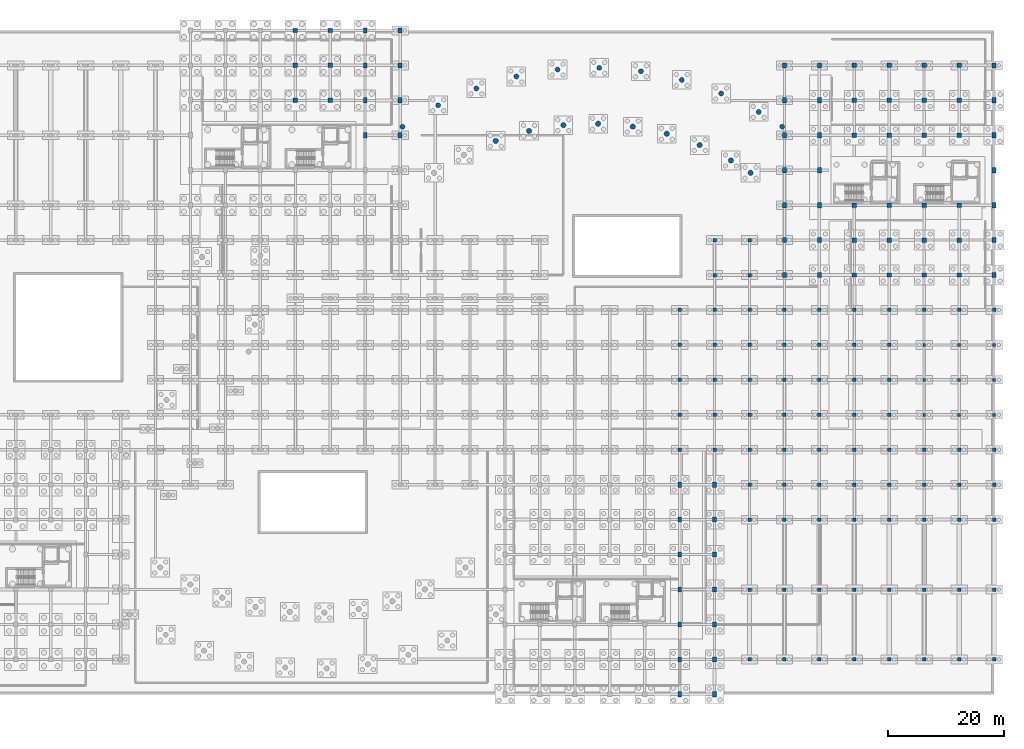
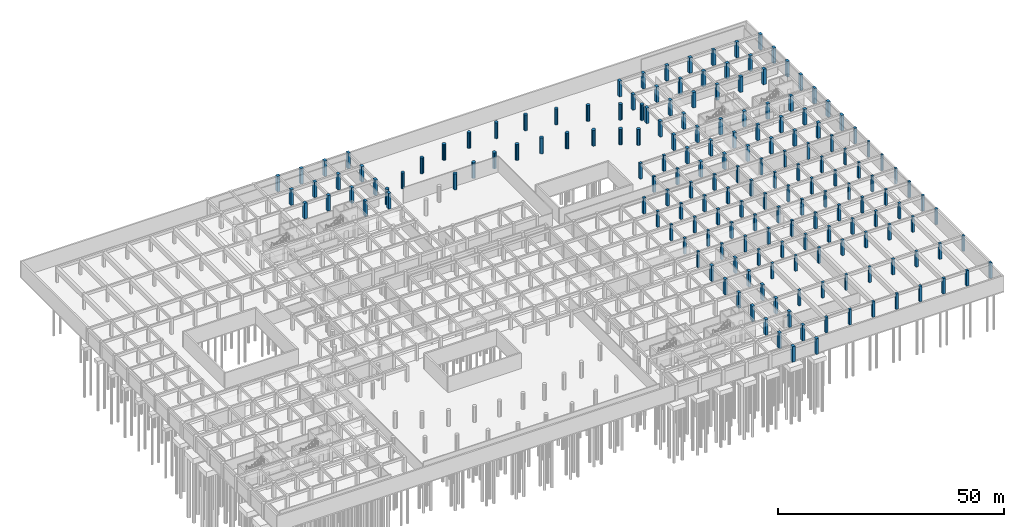
# One storey, part 15 of 41: 179 columns.
"""IFC4 building model written with IfcOpenShell, lengths in metres."""

from ifc_helpers import new_model, si_unit, direction, frame, origin, origin_2d, place, context, subcontext, project, spatial, rectangle, circle, extrude, material, material_profile, profile_set, type_object, element, save


model = new_model("IFC4")

# Units and contexts
model_context = context("Model", 3, precision=1e-05, world=origin(), true_north=direction((0.0, 1.0)))
body_context = subcontext(model_context, "Body", "Model", "MODEL_VIEW")
ifc_project = project(units=[si_unit("LENGTHUNIT", "METRE"), si_unit("AREAUNIT", "SQUARE_METRE"), si_unit("VOLUMEUNIT", "CUBIC_METRE"), si_unit("PLANEANGLEUNIT", "RADIAN"), si_unit("MASSUNIT", "GRAM", prefix="KILO"), si_unit("POWERUNIT", "WATT"), si_unit("THERMODYNAMICTEMPERATUREUNIT", "KELVIN")], contexts=[model_context])

# Site, building, storey
site_placement = place(None, origin())
site = spatial("IfcSite", under=ifc_project, at=site_placement, CompositionType="ELEMENT")
building_placement = place(site_placement, origin())
building = spatial("IfcBuilding", under=site, at=building_placement, Name="Ruvembo Vaulted Housing Court", CompositionType="ELEMENT")
storey_placement = place(building_placement, frame((0.0, 0.0, -4.5)))
storey = spatial("IfcBuildingStorey", under=building, at=storey_placement, Name="B1", CompositionType="ELEMENT", Elevation=-4.5)

# Columns
ifc_material_1 = material(Name="Concrete C35/45", Category="concrete")
ifc_material_profile_1 = material_profile(ifc_material_1, rectangle(XDim=0.5, YDim=0.5, at=origin_2d()), Name="RC 500x500")
ifc_profile_set_1 = profile_set([ifc_material_profile_1], Name="Concrete C35/45")
column_type_1 = type_object("IfcColumnType", Name="COL-RC-500", PredefinedType="COLUMN", material=ifc_profile_set_1)
for number, where, z_axis, x_axis, name in (
    (1, (174.0, 48.0, 0.0), (0.0, 0.0, 1.0), (1.0, 0.0, 0.0), "B1 Column (174,48)"),
    (2, (174.0, 54.0, 0.0), (0.0, 0.0, 1.0), (1.0, 0.0, 0.0), "B1 Column (174,54)"),
    (3, (174.0, 60.0, 0.0), (0.0, 0.0, 1.0), (1.0, 0.0, 0.0), "B1 Column (174,60)"),
    (4, (180.0, 48.0, 0.0), (0.0, 0.0, 1.0), (1.0, 0.0, 0.0), "B1 Column (180,48)"),
    (5, (180.0, 54.0, 0.0), (0.0, 0.0, 1.0), (1.0, 0.0, 0.0), "B1 Column (180,54)"),
    (6, (180.0, 60.0, 0.0), (0.0, 0.0, 1.0), (1.0, 0.0, 0.0), "B1 Column (180,60)"),
    (7, (186.0, 48.0, 0.0), (0.0, 0.0, 1.0), (1.0, 0.0, 0.0), "B1 Column (186,48)"),
    (8, (186.0, 54.0, 0.0), (0.0, 0.0, 1.0), (1.0, 0.0, 0.0), "B1 Column (186,54)"),
    (9, (186.0, 60.0, 0.0), (0.0, 0.0, 1.0), (1.0, 0.0, 0.0), "B1 Column (186,60)"),
):
    element("IfcColumn", number, at=place(storey_placement, frame(where, z_axis=z_axis, x_axis=x_axis)), inside=storey, type_object=column_type_1, Name=name, PredefinedType="COLUMN", context=body_context, shape_type="SweptSolid", body=[
        extrude(rectangle(XDim=0.5, YDim=0.5, at=origin_2d()), origin(), (0.0, 0.0, 1.0), 4.302001953125),
    ])
ifc_material_2 = material(Name="Concrete C40/50", Category="concrete")
ifc_material_profile_2 = material_profile(ifc_material_2, rectangle(XDim=0.60009765625, YDim=0.60009765625, at=origin_2d()), Name="RC 600x600")
ifc_profile_set_2 = profile_set([ifc_material_profile_2], Name="Concrete C40/50")
column_type_2 = type_object("IfcColumnType", Name="COL-RC-600", PredefinedType="COLUMN", material=ifc_profile_set_2)
for number, where, z_axis, x_axis, name in (
    (10, (132.0, 42.0, 0.0), (0.0, 0.0, 1.0), (1.0, 0.0, 0.0), "B1 Column (132,42)"),
    (11, (132.0, 48.0, 0.0), (0.0, 0.0, 1.0), (1.0, 0.0, 0.0), "B1 Column (132,48)"),
    (12, (132.0, 54.0, 0.0), (0.0, 0.0, 1.0), (1.0, 0.0, 0.0), "B1 Column (132,54)"),
    (13, (132.0, 60.0, 0.0), (0.0, 0.0, 1.0), (1.0, 0.0, 0.0), "B1 Column (132,60)"),
    (14, (132.0, 66.0, 0.0), (0.0, 0.0, 1.0), (1.0, 0.0, 0.0), "B1 Column (132,66)"),
    (15, (138.0, 42.0, 0.0), (0.0, 0.0, 1.0), (1.0, 0.0, 0.0), "B1 Column (138,42)"),
    (16, (138.0, 48.0, 0.0), (0.0, 0.0, 1.0), (1.0, 0.0, 0.0), "B1 Column (138,48)"),
    (17, (138.0, 54.0, 0.0), (0.0, 0.0, 1.0), (1.0, 0.0, 0.0), "B1 Column (138,54)"),
    (18, (138.0, 60.0, 0.0), (0.0, 0.0, 1.0), (1.0, 0.0, 0.0), "B1 Column (138,60)"),
    (19, (138.0, 66.0, 0.0), (0.0, 0.0, 1.0), (1.0, 0.0, 0.0), "B1 Column (138,66)"),
    (20, (138.0, 72.0, 0.0), (0.0, 0.0, 1.0), (1.0, 0.0, 0.0), "B1 Column (138,72)"),
    (21, (138.0, 78.0, 0.0), (0.0, 0.0, 1.0), (1.0, 0.0, 0.0), "B1 Column (138,78)"),
):
    element("IfcColumn", number, at=place(storey_placement, frame(where, z_axis=z_axis, x_axis=x_axis)), inside=storey, type_object=column_type_2, Name=name, PredefinedType="COLUMN", context=body_context, shape_type="SweptSolid", body=[
        extrude(rectangle(XDim=0.60009765625, YDim=0.60009765625, at=origin_2d()), origin(), (0.0, 0.0, 1.0), 4.302001953125),
    ])
for number, where, z_axis, x_axis, name in (
    (22, (144.0, 6.0, 0.0), (0.0, 0.0, 1.0), (1.0, 0.0, 0.0), "B1 Column (144,6)"),
    (23, (144.0, 18.0, 0.0), (0.0, 0.0, 1.0), (1.0, 0.0, 0.0), "B1 Column (144,18)"),
    (24, (144.0, 30.0, 0.0), (0.0, 0.0, 1.0), (1.0, 0.0, 0.0), "B1 Column (144,30)"),
    (25, (144.0, 36.0, 0.0), (0.0, 0.0, 1.0), (1.0, 0.0, 0.0), "B1 Column (144,36)"),
):
    element("IfcColumn", number, at=place(storey_placement, frame(where, z_axis=z_axis, x_axis=x_axis)), inside=storey, type_object=column_type_2, Name=name, PredefinedType="COLUMN", context=body_context, shape_type="SweptSolid", body=[
        extrude(rectangle(XDim=0.60009765625, YDim=0.60009765625, at=origin_2d()), origin(), (0.0, 0.0, 1.0), 4.215087890625),
    ])
for number, where, z_axis, x_axis, name in (
    (26, (144.0, 42.0, 0.0), (0.0, 0.0, 1.0), (1.0, 0.0, 0.0), "B1 Column (144,42)"),
    (27, (144.0, 48.0, 0.0), (0.0, 0.0, 1.0), (1.0, 0.0, 0.0), "B1 Column (144,48)"),
    (28, (144.0, 54.0, 0.0), (0.0, 0.0, 1.0), (1.0, 0.0, 0.0), "B1 Column (144,54)"),
    (29, (144.0, 60.0, 0.0), (0.0, 0.0, 1.0), (1.0, 0.0, 0.0), "B1 Column (144,60)"),
    (30, (144.0, 66.0, 0.0), (0.0, 0.0, 1.0), (1.0, 0.0, 0.0), "B1 Column (144,66)"),
    (31, (144.0, 72.0, 0.0), (0.0, 0.0, 1.0), (1.0, 0.0, 0.0), "B1 Column (144,72)"),
    (32, (144.0, 78.0, 0.0), (0.0, 0.0, 1.0), (1.0, 0.0, 0.0), "B1 Column (144,78)"),
):
    element("IfcColumn", number, at=place(storey_placement, frame(where, z_axis=z_axis, x_axis=x_axis)), inside=storey, type_object=column_type_2, Name=name, PredefinedType="COLUMN", context=body_context, shape_type="SweptSolid", body=[
        extrude(rectangle(XDim=0.60009765625, YDim=0.60009765625, at=origin_2d()), origin(), (0.0, 0.0, 1.0), 4.302001953125),
    ])
for number, where, z_axis, x_axis, name in (
    (33, (150.0, 6.0, 0.0), (0.0, 0.0, 1.0), (1.0, 0.0, 0.0), "B1 Column (150,6)"),
    (34, (150.0, 18.0, 0.0), (0.0, 0.0, 1.0), (1.0, 0.0, 0.0), "B1 Column (150,18)"),
    (35, (150.0, 30.0, 0.0), (0.0, 0.0, 1.0), (1.0, 0.0, 0.0), "B1 Column (150,30)"),
    (36, (150.0, 36.0, 0.0), (0.0, 0.0, 1.0), (1.0, 0.0, 0.0), "B1 Column (150,36)"),
):
    element("IfcColumn", number, at=place(storey_placement, frame(where, z_axis=z_axis, x_axis=x_axis)), inside=storey, type_object=column_type_2, Name=name, PredefinedType="COLUMN", context=body_context, shape_type="SweptSolid", body=[
        extrude(rectangle(XDim=0.60009765625, YDim=0.60009765625, at=origin_2d()), origin(), (0.0, 0.0, 1.0), 4.215087890625),
    ])
for number, where, z_axis, x_axis, name in (
    (37, (150.0, 42.0, 0.0), (0.0, 0.0, 1.0), (1.0, 0.0, 0.0), "B1 Column (150,42)"),
    (38, (150.0, 48.0, 0.0), (0.0, 0.0, 1.0), (1.0, 0.0, 0.0), "B1 Column (150,48)"),
    (39, (150.0, 54.0, 0.0), (0.0, 0.0, 1.0), (1.0, 0.0, 0.0), "B1 Column (150,54)"),
    (40, (150.0, 60.0, 0.0), (0.0, 0.0, 1.0), (1.0, 0.0, 0.0), "B1 Column (150,60)"),
    (41, (150.0, 66.0, 0.0), (0.0, 0.0, 1.0), (1.0, 0.0, 0.0), "B1 Column (150,66)"),
):
    element("IfcColumn", number, at=place(storey_placement, frame(where, z_axis=z_axis, x_axis=x_axis)), inside=storey, type_object=column_type_2, Name=name, PredefinedType="COLUMN", context=body_context, shape_type="SweptSolid", body=[
        extrude(rectangle(XDim=0.60009765625, YDim=0.60009765625, at=origin_2d()), origin(), (0.0, 0.0, 1.0), 4.302001953125),
    ])
for number, where, z_axis, x_axis, name in (
    (42, (156.0, 6.0, 0.0), (0.0, 0.0, 1.0), (1.0, 0.0, 0.0), "B1 Column (156,6)"),
    (43, (156.0, 18.0, 0.0), (0.0, 0.0, 1.0), (1.0, 0.0, 0.0), "B1 Column (156,18)"),
    (44, (156.0, 30.0, 0.0), (0.0, 0.0, 1.0), (1.0, 0.0, 0.0), "B1 Column (156,30)"),
    (45, (156.0, 36.0, 0.0), (0.0, 0.0, 1.0), (1.0, 0.0, 0.0), "B1 Column (156,36)"),
):
    element("IfcColumn", number, at=place(storey_placement, frame(where, z_axis=z_axis, x_axis=x_axis)), inside=storey, type_object=column_type_2, Name=name, PredefinedType="COLUMN", context=body_context, shape_type="SweptSolid", body=[
        extrude(rectangle(XDim=0.60009765625, YDim=0.60009765625, at=origin_2d()), origin(), (0.0, 0.0, 1.0), 4.215087890625),
    ])
for number, where, z_axis, x_axis, name in (
    (46, (156.0, 42.0, 0.0), (0.0, 0.0, 1.0), (1.0, 0.0, 0.0), "B1 Column (156,42)"),
    (47, (156.0, 48.0, 0.0), (0.0, 0.0, 1.0), (1.0, 0.0, 0.0), "B1 Column (156,48)"),
    (48, (156.0, 54.0, 0.0), (0.0, 0.0, 1.0), (1.0, 0.0, 0.0), "B1 Column (156,54)"),
    (49, (156.0, 60.0, 0.0), (0.0, 0.0, 1.0), (1.0, 0.0, 0.0), "B1 Column (156,60)"),
    (50, (156.0, 66.0, 0.0), (0.0, 0.0, 1.0), (1.0, 0.0, 0.0), "B1 Column (156,66)"),
):
    element("IfcColumn", number, at=place(storey_placement, frame(where, z_axis=z_axis, x_axis=x_axis)), inside=storey, type_object=column_type_2, Name=name, PredefinedType="COLUMN", context=body_context, shape_type="SweptSolid", body=[
        extrude(rectangle(XDim=0.60009765625, YDim=0.60009765625, at=origin_2d()), origin(), (0.0, 0.0, 1.0), 4.302001953125),
    ])
for number, where, z_axis, x_axis, name in (
    (51, (162.0, 6.0, 0.0), (0.0, 0.0, 1.0), (1.0, 0.0, 0.0), "B1 Column (162,6)"),
    (52, (162.0, 18.0, 0.0), (0.0, 0.0, 1.0), (1.0, 0.0, 0.0), "B1 Column (162,18)"),
    (53, (162.0, 30.0, 0.0), (0.0, 0.0, 1.0), (1.0, 0.0, 0.0), "B1 Column (162,30)"),
    (54, (162.0, 36.0, 0.0), (0.0, 0.0, 1.0), (1.0, 0.0, 0.0), "B1 Column (162,36)"),
):
    element("IfcColumn", number, at=place(storey_placement, frame(where, z_axis=z_axis, x_axis=x_axis)), inside=storey, type_object=column_type_2, Name=name, PredefinedType="COLUMN", context=body_context, shape_type="SweptSolid", body=[
        extrude(rectangle(XDim=0.60009765625, YDim=0.60009765625, at=origin_2d()), origin(), (0.0, 0.0, 1.0), 4.215087890625),
    ])
for number, where, z_axis, x_axis, name in (
    (55, (162.0, 42.0, 0.0), (0.0, 0.0, 1.0), (1.0, 0.0, 0.0), "B1 Column (162,42)"),
    (56, (162.0, 48.0, 0.0), (0.0, 0.0, 1.0), (1.0, 0.0, 0.0), "B1 Column (162,48)"),
    (57, (162.0, 54.0, 0.0), (0.0, 0.0, 1.0), (1.0, 0.0, 0.0), "B1 Column (162,54)"),
    (58, (162.0, 60.0, 0.0), (0.0, 0.0, 1.0), (1.0, 0.0, 0.0), "B1 Column (162,60)"),
    (59, (162.0, 66.0, 0.0), (0.0, 0.0, 1.0), (1.0, 0.0, 0.0), "B1 Column (162,66)"),
):
    element("IfcColumn", number, at=place(storey_placement, frame(where, z_axis=z_axis, x_axis=x_axis)), inside=storey, type_object=column_type_2, Name=name, PredefinedType="COLUMN", context=body_context, shape_type="SweptSolid", body=[
        extrude(rectangle(XDim=0.60009765625, YDim=0.60009765625, at=origin_2d()), origin(), (0.0, 0.0, 1.0), 4.302001953125),
    ])
for number, where, z_axis, x_axis, name in (
    (60, (168.0, 6.0, 0.0), (0.0, 0.0, 1.0), (1.0, 0.0, 0.0), "B1 Column (168,6)"),
    (61, (168.0, 18.0, 0.0), (0.0, 0.0, 1.0), (1.0, 0.0, 0.0), "B1 Column (168,18)"),
    (62, (168.0, 30.0, 0.0), (0.0, 0.0, 1.0), (1.0, 0.0, 0.0), "B1 Column (168,30)"),
    (63, (168.0, 36.0, 0.0), (0.0, 0.0, 1.0), (1.0, 0.0, 0.0), "B1 Column (168,36)"),
):
    element("IfcColumn", number, at=place(storey_placement, frame(where, z_axis=z_axis, x_axis=x_axis)), inside=storey, type_object=column_type_2, Name=name, PredefinedType="COLUMN", context=body_context, shape_type="SweptSolid", body=[
        extrude(rectangle(XDim=0.60009765625, YDim=0.60009765625, at=origin_2d()), origin(), (0.0, 0.0, 1.0), 4.215087890625),
    ])
for number, where, z_axis, x_axis, name in (
    (64, (168.0, 42.0, 0.0), (0.0, 0.0, 1.0), (1.0, 0.0, 0.0), "B1 Column (168,42)"),
    (65, (168.0, 48.0, 0.0), (0.0, 0.0, 1.0), (1.0, 0.0, 0.0), "B1 Column (168,48)"),
    (66, (168.0, 54.0, 0.0), (0.0, 0.0, 1.0), (1.0, 0.0, 0.0), "B1 Column (168,54)"),
    (67, (168.0, 60.0, 0.0), (0.0, 0.0, 1.0), (1.0, 0.0, 0.0), "B1 Column (168,60)"),
    (68, (168.0, 66.0, 0.0), (0.0, 0.0, 1.0), (1.0, 0.0, 0.0), "B1 Column (168,66)"),
):
    element("IfcColumn", number, at=place(storey_placement, frame(where, z_axis=z_axis, x_axis=x_axis)), inside=storey, type_object=column_type_2, Name=name, PredefinedType="COLUMN", context=body_context, shape_type="SweptSolid", body=[
        extrude(rectangle(XDim=0.60009765625, YDim=0.60009765625, at=origin_2d()), origin(), (0.0, 0.0, 1.0), 4.302001953125),
    ])
for number, where, z_axis, x_axis, name in (
    (69, (174.0, 6.0, 0.0), (0.0, 0.0, 1.0), (1.0, 0.0, 0.0), "B1 Column (174,6)"),
    (70, (174.0, 18.0, 0.0), (0.0, 0.0, 1.0), (1.0, 0.0, 0.0), "B1 Column (174,18)"),
    (71, (174.0, 30.0, 0.0), (0.0, 0.0, 1.0), (1.0, 0.0, 0.0), "B1 Column (174,30)"),
    (72, (174.0, 36.0, 0.0), (0.0, 0.0, 1.0), (1.0, 0.0, 0.0), "B1 Column (174,36)"),
):
    element("IfcColumn", number, at=place(storey_placement, frame(where, z_axis=z_axis, x_axis=x_axis)), inside=storey, type_object=column_type_2, Name=name, PredefinedType="COLUMN", context=body_context, shape_type="SweptSolid", body=[
        extrude(rectangle(XDim=0.60009765625, YDim=0.60009765625, at=origin_2d()), origin(), (0.0, 0.0, 1.0), 4.215087890625),
    ])
for number, where, z_axis, x_axis, name in (
    (73, (174.0, 42.0, 0.0), (0.0, 0.0, 1.0), (1.0, 0.0, 0.0), "B1 Column (174,42)"),
    (74, (174.0, 66.0, 0.0), (0.0, 0.0, 1.0), (1.0, 0.0, 0.0), "B1 Column (174,66)"),
):
    element("IfcColumn", number, at=place(storey_placement, frame(where, z_axis=z_axis, x_axis=x_axis)), inside=storey, type_object=column_type_2, Name=name, PredefinedType="COLUMN", context=body_context, shape_type="SweptSolid", body=[
        extrude(rectangle(XDim=0.60009765625, YDim=0.60009765625, at=origin_2d()), origin(), (0.0, 0.0, 1.0), 4.302001953125),
    ])
for number, where, z_axis, x_axis, name in (
    (75, (180.0, 6.0, 0.0), (0.0, 0.0, 1.0), (1.0, 0.0, 0.0), "B1 Column (180,6)"),
    (76, (180.0, 18.0, 0.0), (0.0, 0.0, 1.0), (1.0, 0.0, 0.0), "B1 Column (180,18)"),
    (77, (180.0, 30.0, 0.0), (0.0, 0.0, 1.0), (1.0, 0.0, 0.0), "B1 Column (180,30)"),
    (78, (180.0, 36.0, 0.0), (0.0, 0.0, 1.0), (1.0, 0.0, 0.0), "B1 Column (180,36)"),
):
    element("IfcColumn", number, at=place(storey_placement, frame(where, z_axis=z_axis, x_axis=x_axis)), inside=storey, type_object=column_type_2, Name=name, PredefinedType="COLUMN", context=body_context, shape_type="SweptSolid", body=[
        extrude(rectangle(XDim=0.60009765625, YDim=0.60009765625, at=origin_2d()), origin(), (0.0, 0.0, 1.0), 4.215087890625),
    ])
for number, where, z_axis, x_axis, name in (
    (79, (180.0, 42.0, 0.0), (0.0, 0.0, 1.0), (1.0, 0.0, 0.0), "B1 Column (180,42)"),
    (80, (180.0, 66.0, 0.0), (0.0, 0.0, 1.0), (1.0, 0.0, 0.0), "B1 Column (180,66)"),
):
    element("IfcColumn", number, at=place(storey_placement, frame(where, z_axis=z_axis, x_axis=x_axis)), inside=storey, type_object=column_type_2, Name=name, PredefinedType="COLUMN", context=body_context, shape_type="SweptSolid", body=[
        extrude(rectangle(XDim=0.60009765625, YDim=0.60009765625, at=origin_2d()), origin(), (0.0, 0.0, 1.0), 4.302001953125),
    ])
for number, where, z_axis, x_axis, name in (
    (81, (186.0, 6.0, 0.0), (0.0, 0.0, 1.0), (1.0, 0.0, 0.0), "B1 Column (186,6)"),
    (82, (186.0, 18.0, 0.0), (0.0, 0.0, 1.0), (1.0, 0.0, 0.0), "B1 Column (186,18)"),
    (83, (186.0, 30.0, 0.0), (0.0, 0.0, 1.0), (1.0, 0.0, 0.0), "B1 Column (186,30)"),
    (84, (186.0, 36.0, 0.0), (0.0, 0.0, 1.0), (1.0, 0.0, 0.0), "B1 Column (186,36)"),
):
    element("IfcColumn", number, at=place(storey_placement, frame(where, z_axis=z_axis, x_axis=x_axis)), inside=storey, type_object=column_type_2, Name=name, PredefinedType="COLUMN", context=body_context, shape_type="SweptSolid", body=[
        extrude(rectangle(XDim=0.60009765625, YDim=0.60009765625, at=origin_2d()), origin(), (0.0, 0.0, 1.0), 4.215087890625),
    ])
for number, where, z_axis, x_axis, name in (
    (85, (186.0, 42.0, 0.0), (0.0, 0.0, 1.0), (1.0, 0.0, 0.0), "B1 Column (186,42)"),
    (86, (186.0, 66.0, 0.0), (0.0, 0.0, 1.0), (1.0, 0.0, 0.0), "B1 Column (186,66)"),
):
    element("IfcColumn", number, at=place(storey_placement, frame(where, z_axis=z_axis, x_axis=x_axis)), inside=storey, type_object=column_type_2, Name=name, PredefinedType="COLUMN", context=body_context, shape_type="SweptSolid", body=[
        extrude(rectangle(XDim=0.60009765625, YDim=0.60009765625, at=origin_2d()), origin(), (0.0, 0.0, 1.0), 4.302001953125),
    ])
ifc_material_profile_3 = material_profile(ifc_material_2, rectangle(XDim=0.64990234375, YDim=0.89990234375, at=origin_2d()), Name="RC 650x900")
ifc_profile_set_3 = profile_set([ifc_material_profile_3], Name="Concrete C40/50")
column_type_3 = type_object("IfcColumnType", Name="COL-RC-650x900", PredefinedType="COLUMN", material=ifc_profile_set_3)
for number, where, z_axis, x_axis, name in (
    (87, (78.0, 96.0, 0.0), (0.0, 0.0, 1.0), (1.0, 0.0, 0.0), "B1 Column (78,96)"),
    (88, (78.0, 102.0, 0.0), (0.0, 0.0, 1.0), (1.0, 0.0, 0.0), "B1 Column (78,102)"),
    (89, (78.0, 108.0, 0.0), (0.0, 0.0, 1.0), (1.0, 0.0, 0.0), "B1 Column (78,108)"),
    (90, (78.0, 114.0, 0.0), (0.0, 0.0, 1.0), (1.0, 0.0, 0.0), "B1 Column (78,114)"),
    (91, (84.0, 96.0, 0.0), (0.0, 0.0, 1.0), (1.0, 0.0, 0.0), "B1 Column (84,96)"),
    (92, (84.0, 102.0, 0.0), (0.0, 0.0, 1.0), (1.0, 0.0, 0.0), "B1 Column (84,102)"),
    (93, (84.0, 108.0, 0.0), (0.0, 0.0, 1.0), (1.0, 0.0, 0.0), "B1 Column (84,108)"),
    (94, (84.0, 114.0, 0.0), (0.0, 0.0, 1.0), (1.0, 0.0, 0.0), "B1 Column (84,114)"),
    (95, (132.0, 0.0, 0.0), (0.0, 0.0, 1.0), (1.0, 0.0, 0.0), "B1 Column (132,0)"),
    (96, (132.0, 6.0, 0.0), (0.0, 0.0, 1.0), (1.0, 0.0, 0.0), "B1 Column (132,6)"),
    (97, (132.0, 12.0, 0.0), (0.0, 0.0, 1.0), (1.0, 0.0, 0.0), "B1 Column (132,12)"),
    (98, (132.0, 18.0, 0.0), (0.0, 0.0, 1.0), (1.0, 0.0, 0.0), "B1 Column (132,18)"),
    (99, (132.0, 24.0, 0.0), (0.0, 0.0, 1.0), (1.0, 0.0, 0.0), "B1 Column (132,24)"),
    (100, (132.0, 30.0, 0.0), (0.0, 0.0, 1.0), (1.0, 0.0, 0.0), "B1 Column (132,30)"),
    (101, (132.0, 36.0, 0.0), (0.0, 0.0, 1.0), (1.0, 0.0, 0.0), "B1 Column (132,36)"),
    (102, (138.0, 0.0, 0.0), (0.0, 0.0, 1.0), (1.0, 0.0, 0.0), "B1 Column (138,0)"),
    (103, (138.0, 6.0, 0.0), (0.0, 0.0, 1.0), (1.0, 0.0, 0.0), "B1 Column (138,6)"),
    (104, (138.0, 12.0, 0.0), (0.0, 0.0, 1.0), (1.0, 0.0, 0.0), "B1 Column (138,12)"),
    (105, (138.0, 18.0, 0.0), (0.0, 0.0, 1.0), (1.0, 0.0, 0.0), "B1 Column (138,18)"),
    (106, (138.0, 24.0, 0.0), (0.0, 0.0, 1.0), (1.0, 0.0, 0.0), "B1 Column (138,24)"),
    (107, (138.0, 30.0, 0.0), (0.0, 0.0, 1.0), (1.0, 0.0, 0.0), "B1 Column (138,30)"),
    (108, (138.0, 36.0, 0.0), (0.0, 0.0, 1.0), (1.0, 0.0, 0.0), "B1 Column (138,36)"),
    (109, (150.0, 72.0, 0.0), (0.0, 0.0, 1.0), (1.0, 0.0, 0.0), "B1 Column (150,72)"),
    (110, (150.0, 78.0, 0.0), (0.0, 0.0, 1.0), (1.0, 0.0, 0.0), "B1 Column (150,78)"),
    (111, (150.0, 84.0, 0.0), (0.0, 0.0, 1.0), (1.0, 0.0, 0.0), "B1 Column (150,84)"),
    (112, (150.0, 90.0, 0.0), (0.0, 0.0, 1.0), (1.0, 0.0, 0.0), "B1 Column (150,90)"),
    (113, (150.0, 96.0, 0.0), (0.0, 0.0, 1.0), (1.0, 0.0, 0.0), "B1 Column (150,96)"),
    (114, (150.0, 102.0, 0.0), (0.0, 0.0, 1.0), (1.0, 0.0, 0.0), "B1 Column (150,102)"),
    (115, (150.0, 108.0, 0.0), (0.0, 0.0, 1.0), (1.0, 0.0, 0.0), "B1 Column (150,108)"),
    (116, (156.0, 72.0, 0.0), (0.0, 0.0, 1.0), (1.0, 0.0, 0.0), "B1 Column (156,72)"),
    (117, (156.0, 78.0, 0.0), (0.0, 0.0, 1.0), (1.0, 0.0, 0.0), "B1 Column (156,78)"),
    (118, (156.0, 84.0, 0.0), (0.0, 0.0, 1.0), (1.0, 0.0, 0.0), "B1 Column (156,84)"),
    (119, (156.0, 90.0, 0.0), (0.0, 0.0, 1.0), (1.0, 0.0, 0.0), "B1 Column (156,90)"),
    (120, (156.0, 96.0, 0.0), (0.0, 0.0, 1.0), (1.0, 0.0, 0.0), "B1 Column (156,96)"),
    (121, (156.0, 102.0, 0.0), (0.0, 0.0, 1.0), (1.0, 0.0, 0.0), "B1 Column (156,102)"),
    (122, (156.0, 108.0, 0.0), (0.0, 0.0, 1.0), (1.0, 0.0, 0.0), "B1 Column (156,108)"),
    (123, (186.0, 72.0, 0.0), (0.0, 0.0, 1.0), (1.0, 0.0, 0.0), "B1 Column (186,72)"),
    (124, (186.0, 78.0, 0.0), (0.0, 0.0, 1.0), (1.0, 0.0, 0.0), "B1 Column (186,78)"),
    (125, (186.0, 84.0, 0.0), (0.0, 0.0, 1.0), (1.0, 0.0, 0.0), "B1 Column (186,84)"),
    (126, (186.0, 90.0, 0.0), (0.0, 0.0, 1.0), (1.0, 0.0, 0.0), "B1 Column (186,90)"),
    (127, (186.0, 96.0, 0.0), (0.0, 0.0, 1.0), (1.0, 0.0, 0.0), "B1 Column (186,96)"),
    (128, (186.0, 102.0, 0.0), (0.0, 0.0, 1.0), (1.0, 0.0, 0.0), "B1 Column (186,102)"),
    (129, (186.0, 108.0, 0.0), (0.0, 0.0, 1.0), (1.0, 0.0, 0.0), "B1 Column (186,108)"),
):
    element("IfcColumn", number, at=place(storey_placement, frame(where, z_axis=z_axis, x_axis=x_axis)), inside=storey, type_object=column_type_3, Name=name, PredefinedType="COLUMN", context=body_context, shape_type="SweptSolid", body=[
        extrude(rectangle(XDim=0.64990234375, YDim=0.89990234375, at=origin_2d()), origin(), (0.0, 0.0, 1.0), 4.215087890625),
    ])
ifc_material_profile_4 = material_profile(ifc_material_2, rectangle(XDim=0.75, YDim=0.75, at=origin_2d()), Name="RC 750x750")
ifc_profile_set_4 = profile_set([ifc_material_profile_4], Name="Concrete C40/50")
column_type_4 = type_object("IfcColumnType", Name="COL-RC-750", PredefinedType="COLUMN", material=ifc_profile_set_4)
for number, where, z_axis, x_axis, name in (
    (130, (66.0, 102.0, 0.0), (0.0, 0.0, 1.0), (1.0, 0.0, 0.0), "B1 Column (66,102)"),
    (131, (66.0, 108.0, 0.0), (0.0, 0.0, 1.0), (1.0, 0.0, 0.0), "B1 Column (66,108)"),
    (132, (66.0, 114.0, 0.0), (0.0, 0.0, 1.0), (1.0, 0.0, 0.0), "B1 Column (66,114)"),
    (133, (72.0, 102.0, 0.0), (0.0, 0.0, 1.0), (1.0, 0.0, 0.0), "B1 Column (72,102)"),
    (134, (72.0, 108.0, 0.0), (0.0, 0.0, 1.0), (1.0, 0.0, 0.0), "B1 Column (72,108)"),
    (135, (72.0, 114.0, 0.0), (0.0, 0.0, 1.0), (1.0, 0.0, 0.0), "B1 Column (72,114)"),
    (136, (162.0, 72.0, 0.0), (0.0, 0.0, 1.0), (1.0, 0.0, 0.0), "B1 Column (162,72)"),
    (137, (162.0, 78.0, 0.0), (0.0, 0.0, 1.0), (1.0, 0.0, 0.0), "B1 Column (162,78)"),
    (138, (162.0, 84.0, 0.0), (0.0, 0.0, 1.0), (1.0, 0.0, 0.0), "B1 Column (162,84)"),
    (139, (162.0, 96.0, 0.0), (0.0, 0.0, 1.0), (1.0, 0.0, 0.0), "B1 Column (162,96)"),
    (140, (162.0, 102.0, 0.0), (0.0, 0.0, 1.0), (1.0, 0.0, 0.0), "B1 Column (162,102)"),
    (141, (162.0, 108.0, 0.0), (0.0, 0.0, 1.0), (1.0, 0.0, 0.0), "B1 Column (162,108)"),
    (142, (168.0, 72.0, 0.0), (0.0, 0.0, 1.0), (1.0, 0.0, 0.0), "B1 Column (168,72)"),
    (143, (168.0, 78.0, 0.0), (0.0, 0.0, 1.0), (1.0, 0.0, 0.0), "B1 Column (168,78)"),
    (144, (168.0, 84.0, 0.0), (0.0, 0.0, 1.0), (1.0, 0.0, 0.0), "B1 Column (168,84)"),
    (145, (168.0, 96.0, 0.0), (0.0, 0.0, 1.0), (1.0, 0.0, 0.0), "B1 Column (168,96)"),
    (146, (168.0, 102.0, 0.0), (0.0, 0.0, 1.0), (1.0, 0.0, 0.0), "B1 Column (168,102)"),
    (147, (168.0, 108.0, 0.0), (0.0, 0.0, 1.0), (1.0, 0.0, 0.0), "B1 Column (168,108)"),
    (148, (174.0, 72.0, 0.0), (0.0, 0.0, 1.0), (1.0, 0.0, 0.0), "B1 Column (174,72)"),
    (149, (174.0, 78.0, 0.0), (0.0, 0.0, 1.0), (1.0, 0.0, 0.0), "B1 Column (174,78)"),
    (150, (174.0, 84.0, 0.0), (0.0, 0.0, 1.0), (1.0, 0.0, 0.0), "B1 Column (174,84)"),
    (151, (174.0, 96.0, 0.0), (0.0, 0.0, 1.0), (1.0, 0.0, 0.0), "B1 Column (174,96)"),
    (152, (174.0, 102.0, 0.0), (0.0, 0.0, 1.0), (1.0, 0.0, 0.0), "B1 Column (174,102)"),
    (153, (174.0, 108.0, 0.0), (0.0, 0.0, 1.0), (1.0, 0.0, 0.0), "B1 Column (174,108)"),
    (154, (180.0, 72.0, 0.0), (0.0, 0.0, 1.0), (1.0, 0.0, 0.0), "B1 Column (180,72)"),
    (155, (180.0, 78.0, 0.0), (0.0, 0.0, 1.0), (1.0, 0.0, 0.0), "B1 Column (180,78)"),
    (156, (180.0, 84.0, 0.0), (0.0, 0.0, 1.0), (1.0, 0.0, 0.0), "B1 Column (180,84)"),
    (157, (180.0, 96.0, 0.0), (0.0, 0.0, 1.0), (1.0, 0.0, 0.0), "B1 Column (180,96)"),
    (158, (180.0, 102.0, 0.0), (0.0, 0.0, 1.0), (1.0, 0.0, 0.0), "B1 Column (180,102)"),
    (159, (180.0, 108.0, 0.0), (0.0, 0.0, 1.0), (1.0, 0.0, 0.0), "B1 Column (180,108)"),
):
    element("IfcColumn", number, at=place(storey_placement, frame(where, z_axis=z_axis, x_axis=x_axis)), inside=storey, type_object=column_type_4, Name=name, PredefinedType="COLUMN", context=body_context, shape_type="SweptSolid", body=[
        extrude(rectangle(XDim=0.75, YDim=0.75, at=origin_2d()), origin(), (0.0, 0.0, 1.0), 4.215087890625),
    ])
ifc_material_profile_5 = material_profile(ifc_material_2, circle(Radius=0.425048828125, at=origin_2d()), Name="RC D850")
ifc_profile_set_5 = profile_set([ifc_material_profile_5], Name="Concrete C40/50")
column_type_5 = type_object("IfcColumnType", Name="PILOTIS-D850", PredefinedType="COLUMN", material=ifc_profile_set_5)
for number, where, z_axis, x_axis, name in (
    (160, (84.38623046875, 97.477294921875, 0.0), (0.0, 0.0, 1.0), (1.0, 0.0, 0.0), "B1 Scooped Pier CP-SC3-B01"),
    (161, (90.535888671875, 101.16064453125, 0.0), (0.0, 0.0, 1.0), (1.0, 0.0, 0.0), "B1 Scooped Pier CP-SC3-B02"),
    (162, (97.095458984375, 104.051513671875, 0.0), (0.0, 0.0, 1.0), (1.0, 0.0, 0.0), "B1 Scooped Pier CP-SC3-B03"),
    (163, (103.96337890625, 106.105224609375, 0.0), (0.0, 0.0, 1.0), (1.0, 0.0, 0.0), "B1 Scooped Pier CP-SC3-B04"),
    (164, (111.033203125, 107.2900390625, 0.0), (0.0, 0.0, 1.0), (1.0, 0.0, 0.0), "B1 Scooped Pier CP-SC3-B05"),
    (165, (118.1953125, 107.587646484375, 0.0), (0.0, 0.0, 1.0), (1.0, 0.0, 0.0), "B1 Scooped Pier CP-SC3-B06"),
    (166, (125.339111328125, 106.9931640625, 0.0), (0.0, 0.0, 1.0), (1.0, 0.0, 0.0), "B1 Scooped Pier CP-SC3-B07"),
    (167, (132.353759765625, 105.51611328125, 0.0), (0.0, 0.0, 1.0), (1.0, 0.0, 0.0), "B1 Scooped Pier CP-SC3-B08"),
    (168, (139.13037109375, 103.178955078125, 0.0), (0.0, 0.0, 1.0), (1.0, 0.0, 0.0), "B1 Scooped Pier CP-SC3-B09"),
    (169, (145.564453125, 100.018310546875, 0.0), (0.0, 0.0, 1.0), (1.0, 0.0, 0.0), "B1 Scooped Pier CP-SC3-B10"),
    (170, (149.61376953125, 97.477294921875, 0.0), (0.0, 0.0, 1.0), (1.0, 0.0, 0.0), "B1 Scooped Pier CP-SC3-B11"),
):
    element("IfcColumn", number, at=place(storey_placement, frame(where, z_axis=z_axis, x_axis=x_axis)), inside=storey, type_object=column_type_5, Name=name, PredefinedType="COLUMN", context=body_context, shape_type="SweptSolid", body=[
        extrude(circle(Radius=0.425048828125, at=origin_2d()), origin(), (0.0, 0.0, 1.0), 4.302001953125),
    ])
ifc_material_profile_6 = material_profile(ifc_material_2, circle(Radius=0.449951171875, at=origin_2d()), Name="RC D900")
ifc_profile_set_6 = profile_set([ifc_material_profile_6], Name="Concrete C40/50")
column_type_6 = type_object("IfcColumnType", Name="PILOTIS-D900", PredefinedType="COLUMN", material=ifc_profile_set_6)
for number, where, z_axis, x_axis, name in (
    (171, (100.412841796875, 95.04296875, 0.0), (0.0, 0.0, 1.0), (1.0, 0.0, 0.0), "B1 Scooped Pier CP-SC3-F03"),
    (172, (106.13623046875, 96.75439453125, 0.0), (0.0, 0.0, 1.0), (1.0, 0.0, 0.0), "B1 Scooped Pier CP-SC3-F04"),
    (173, (112.027587890625, 97.74169921875, 0.0), (0.0, 0.0, 1.0), (1.0, 0.0, 0.0), "B1 Scooped Pier CP-SC3-F05"),
    (174, (117.99609375, 97.98974609375, 0.0), (0.0, 0.0, 1.0), (1.0, 0.0, 0.0), "B1 Scooped Pier CP-SC3-F06"),
    (175, (123.94921875, 97.494384765625, 0.0), (0.0, 0.0, 1.0), (1.0, 0.0, 0.0), "B1 Scooped Pier CP-SC3-F07"),
    (176, (129.794677734375, 96.26318359375, 0.0), (0.0, 0.0, 1.0), (1.0, 0.0, 0.0), "B1 Scooped Pier CP-SC3-F08"),
    (177, (135.44189453125, 94.31591796875, 0.0), (0.0, 0.0, 1.0), (1.0, 0.0, 0.0), "B1 Scooped Pier CP-SC3-F09"),
    (178, (140.8037109375, 91.681884765625, 0.0), (0.0, 0.0, 1.0), (1.0, 0.0, 0.0), "B1 Scooped Pier CP-SC3-F10"),
    (179, (144.17822265625, 89.564453125, 0.0), (0.0, 0.0, 1.0), (1.0, 0.0, 0.0), "B1 Scooped Pier CP-SC3-F11"),
):
    element("IfcColumn", number, at=place(storey_placement, frame(where, z_axis=z_axis, x_axis=x_axis)), inside=storey, type_object=column_type_6, Name=name, PredefinedType="COLUMN", context=body_context, shape_type="SweptSolid", body=[
        extrude(circle(Radius=0.449951171875, at=origin_2d()), origin(), (0.0, 0.0, 1.0), 4.302001953125),
    ])

save(model, "model.ifc")
